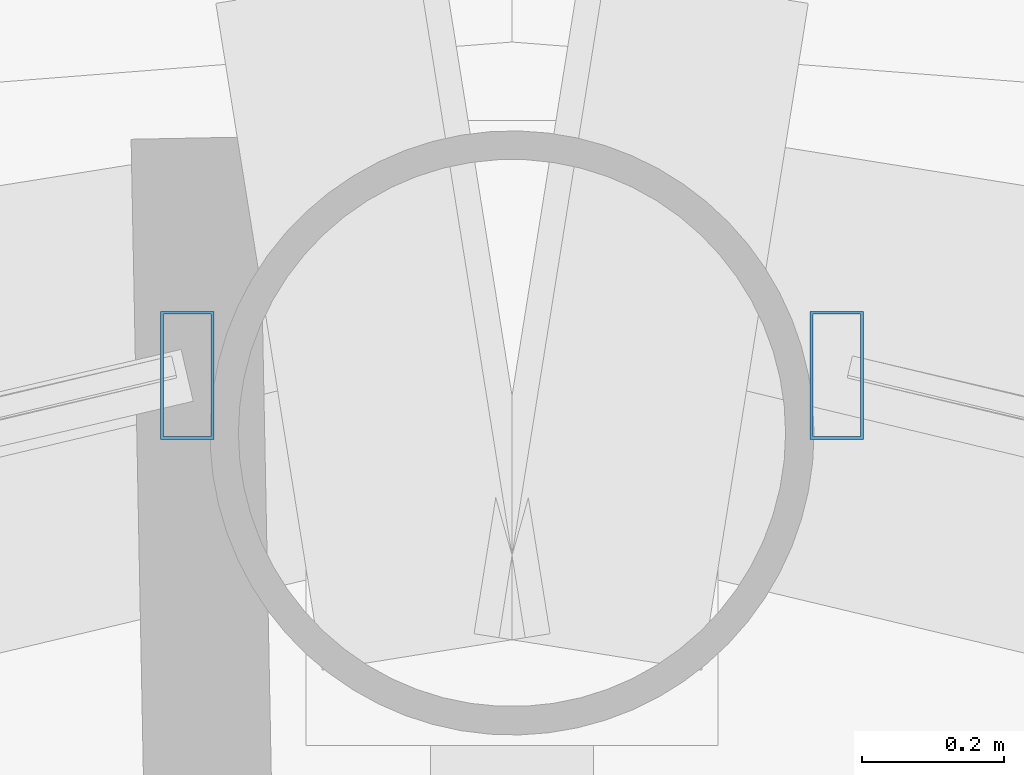
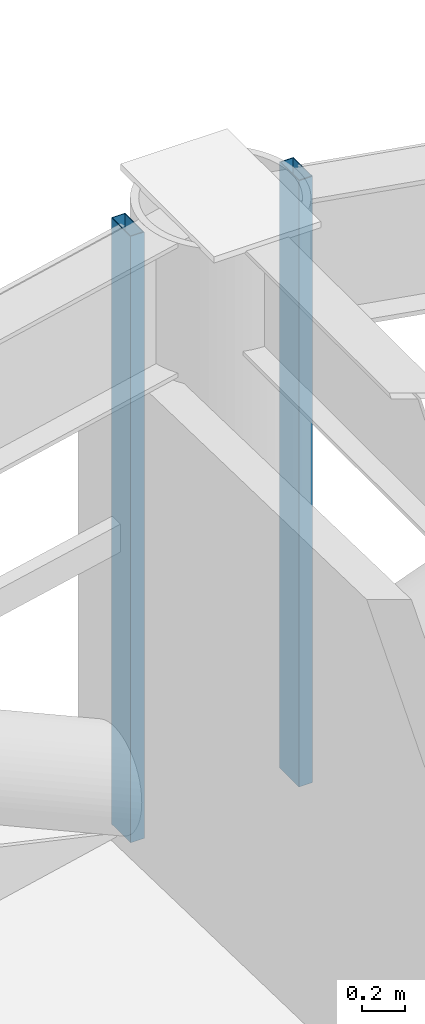
# One storey, part 17 of 31: 2 members, 2 elements without a shape of their own.
"""IFC4 building model written with IfcOpenShell, lengths in metres."""

import ifcopenshell
import ifcopenshell.guid

model = None  # the IFC model being written
_history = None  # IfcOwnerHistory: only IFC2X3 demands one
_inside = {}  # id of a spatial element -> (the spatial element, [elements in it])
_under = {}  # id of a project, library or spatial element -> (it, [spatial elements below it])
_declared = {}  # id of a project -> (the project, [libraries it declares])
_typed = {}  # id of a type object -> (the type object, [elements of that type])
_made_of = {}  # id of a material, layer set ... -> (it, [elements and type objects made of it])


def new_model(schema):
    """Start an empty IFC model of exactly this schema.

    Asked for "IFC4X3", IfcOpenShell would pick the latest addendum, in which some entities
    have other attributes; the version numbers below select the first issue.
    IFC2X3 requires an IfcOwnerHistory on every rooted entity: one is made here for all.
    """
    global model, _history
    if schema == "IFC4X3":
        model = ifcopenshell.file(schema_version=(4, 3, 0, 0))
    else:
        model = ifcopenshell.file(schema=schema)
    _inside.clear()
    _under.clear()
    _declared.clear()
    _typed.clear()
    _made_of.clear()
    _history = None
    if model.schema == "IFC2X3":
        org = make("IfcOrganization", Name="unknown")
        user = make(
            "IfcPersonAndOrganization",
            ThePerson=make("IfcPerson", FamilyName="unknown"),
            TheOrganization=org,
        )
        app = make(
            "IfcApplication",
            ApplicationDeveloper=org,
            Version="unknown",
            ApplicationFullName="unknown",
            ApplicationIdentifier="unknown",
        )
        _history = make(
            "IfcOwnerHistory",
            OwningUser=user,
            OwningApplication=app,
            ChangeAction="ADDED",
            CreationDate=0,
        )
    return model


def make(cls, **values):
    """One entity of the class cls with the attributes given. An attribute that is None is left unset."""
    return model.create_entity(
        cls, **{name: value for name, value in values.items() if value is not None}
    )


def rooted(cls, **values):
    """An entity with a GlobalId (a new one), such as an element, a storey or a relation."""
    return make(cls, GlobalId=ifcopenshell.guid.new(), OwnerHistory=_history, **values)


def si_unit(unit_type, name, prefix=None):
    """IfcSIUnit, for example si_unit("LENGTHUNIT", "METRE", prefix="MILLI")."""
    return make("IfcSIUnit", UnitType=unit_type, Prefix=prefix, Name=name)


def assignment(units):
    """IfcUnitAssignment: the units of a project."""
    return None if units is None else make("IfcUnitAssignment", Units=units)


def point(xyz):
    """IfcCartesianPoint."""
    return None if xyz is None else make("IfcCartesianPoint", Coordinates=xyz)


def direction(xyz):
    """IfcDirection."""
    return None if xyz is None else make("IfcDirection", DirectionRatios=xyz)


def frame(location, z_axis=None, x_axis=None):
    """IfcAxis2Placement3D, a coordinate frame: its origin and axes. An axis left out is left unset."""
    return make(
        "IfcAxis2Placement3D",
        Location=point(location),
        Axis=direction(z_axis),
        RefDirection=direction(x_axis),
    )


def frame_2d(location, x_axis=None):
    """IfcAxis2Placement2D, a coordinate frame in the plane: its origin and x axis."""
    return make(
        "IfcAxis2Placement2D", Location=point(location), RefDirection=direction(x_axis)
    )


def origin():
    """The frame at (0, 0, 0) with its axes left unset."""
    return frame((0.0, 0.0, 0.0))


def origin_2d():
    """The frame at (0, 0) in the plane with its x axis left unset."""
    return frame_2d((0.0, 0.0))


def place(relative_to, where):
    """IfcLocalPlacement: puts the frame where relative to a parent placement (None: the world)."""
    return make(
        "IfcLocalPlacement", PlacementRelTo=relative_to, RelativePlacement=where
    )


def context(
    kind, dimensions, precision=None, world=None, true_north=None, identifier=None
):
    """IfcGeometricRepresentationContext, for example the 3D "Model" context."""
    return make(
        "IfcGeometricRepresentationContext",
        ContextIdentifier=identifier,
        ContextType=kind,
        CoordinateSpaceDimension=dimensions,
        Precision=precision,
        WorldCoordinateSystem=world,
        TrueNorth=true_north,
    )


def subcontext(parent, identifier, kind, view, scale=None):
    """IfcGeometricRepresentationSubContext, for example "Body" below "Model"."""
    return make(
        "IfcGeometricRepresentationSubContext",
        ContextIdentifier=identifier,
        ContextType=kind,
        ParentContext=parent,
        TargetScale=scale,
        TargetView=view,
    )


def project(units=None, contexts=None):
    """IfcProject with its units and contexts."""
    return rooted(
        "IfcProject",
        Name="project",
        RepresentationContexts=contexts,
        UnitsInContext=assignment(units),
    )


def spatial(cls, under=None, at=None, **own):
    """A site, building, storey or space (cls), placed at a placement, below another one or the project."""
    s = rooted(cls, ObjectPlacement=at, **own)
    if under is not None:
        _under.setdefault(under.id(), (under, []))[1].append(s)
    return s


def profile(cls, at=None, kind="AREA", **sizes):
    """A parametric profile (cls). Its sizes go by their IFC names, for example OverallWidth=200.0."""
    return make(cls, ProfileType=kind, Position=at, **sizes)


def hollow_rectangle(**sizes):
    """IfcRectangleHollowProfileDef."""
    return profile("IfcRectangleHollowProfileDef", **sizes)


def extrude(swept, where, along, depth):
    """IfcExtrudedAreaSolid: the profile swept, set in the frame where, extruded along a direction by depth."""
    return make(
        "IfcExtrudedAreaSolid",
        SweptArea=swept,
        Position=where,
        ExtrudedDirection=direction(along),
        Depth=depth,
    )


def shape(context_of_items, identifier, shape_type, items):
    """IfcShapeRepresentation: the items that make up one representation, for example the "Body"."""
    return make(
        "IfcShapeRepresentation",
        ContextOfItems=context_of_items,
        RepresentationIdentifier=identifier,
        RepresentationType=shape_type,
        Items=items,
    )


def material(Name=None, Category=None):
    """IfcMaterial."""
    return make("IfcMaterial", Name=Name, Category=Category)


def layer(
    of_material, thickness, ventilated=None, Name=None, Category=None, Priority=None
):
    """IfcMaterialLayer: one layer of a wall or slab, of a material (None: an air gap)."""
    return make(
        "IfcMaterialLayer",
        Material=of_material,
        LayerThickness=thickness,
        IsVentilated=ventilated,
        Name=Name,
        Category=Category,
        Priority=Priority,
    )


def layer_set(layers, Name=None):
    """IfcMaterialLayerSet."""
    return make("IfcMaterialLayerSet", MaterialLayers=layers, LayerSetName=Name)


def material_profile(
    of_material, cross_section, Name=None, Category=None, Priority=None
):
    """IfcMaterialProfile: a cross section and its material."""
    return make(
        "IfcMaterialProfile",
        Name=Name,
        Material=of_material,
        Profile=cross_section,
        Priority=Priority,
        Category=Category,
    )


def profile_set(profiles, Name=None, composite=None):
    """IfcMaterialProfileSet."""
    return make(
        "IfcMaterialProfileSet",
        Name=Name,
        MaterialProfiles=profiles,
        CompositeProfile=composite,
    )


def made_of(thing, what):
    """Note that an element or type object is made of a material, layer set ...; save() writes the relation."""
    if what is not None:
        _made_of.setdefault(what.id(), (what, []))[1].append(thing)
    return thing


def type_object(cls, material=None, **own):
    """A type object (cls), such as IfcWallType, which elements share."""
    return made_of(rooted(cls, **own), material)


def element(
    cls,
    number,
    at=None,
    inside=None,
    cuts=None,
    type_object=None,
    material=None,
    context=None,
    identifier="Body",
    shape_type=None,
    held_by="IfcProductDefinitionShape",
    body=None,
    shapes=None,
    **own,
):
    """One element of the class cls, such as IfcWall. Its Tag is "e" and its number.

    at: its placement. inside: the storey or other place that contains it. cuts: it is an
    opening in that element (IfcRelVoidsElement). A single representation is given by context,
    identifier, shape_type and body (its items); several are given by shapes. held_by: the class
    of the entity that holds the representations. save() writes the other relations.
    """
    e = rooted(cls, Tag="e%d" % number, ObjectPlacement=at, **own)
    if body is not None:
        shapes = [shape(context, identifier, shape_type, body)]
    if shapes is not None:
        e.Representation = make(held_by, Representations=shapes)
    if inside is not None:
        _inside.setdefault(inside.id(), (inside, []))[1].append(e)
    if cuts is not None:
        rooted(
            "IfcRelVoidsElement", RelatingBuildingElement=cuts, RelatedOpeningElement=e
        )
    if type_object is not None:
        _typed.setdefault(type_object.id(), (type_object, []))[1].append(e)
    return made_of(e, material)


def aggregate(whole, parts):
    """IfcRelAggregates: a whole, such as a stair, and the parts it consists of."""
    return rooted("IfcRelAggregates", RelatingObject=whole, RelatedObjects=parts)


def save(model, path):
    """Write the relations noted so far, then the file.

    IfcRelAggregates (storeys below a building ...), IfcRelContainedInSpatialStructure (elements
    in a storey), IfcRelDefinesByType, IfcRelAssociatesMaterial and IfcRelDeclares: one each for
    every whole, place, type object, material and project.
    """
    for whole, parts in _under.values():
        aggregate(whole, parts)
    for where, things in _inside.values():
        rooted(
            "IfcRelContainedInSpatialStructure",
            RelatedElements=things,
            RelatingStructure=where,
        )
    for kind, things in _typed.values():
        rooted("IfcRelDefinesByType", RelatedObjects=things, RelatingType=kind)
    for what, things in _made_of.values():
        rooted("IfcRelAssociatesMaterial", RelatedObjects=things, RelatingMaterial=what)
    for by, libraries in _declared.values():
        rooted("IfcRelDeclares", RelatingContext=by, RelatedDefinitions=libraries)
    model.write(path)


model = new_model("IFC4")

# Units and contexts
model_context = context("Model", 3, precision=1e-05, world=origin(), true_north=direction((0.0, 1.0)))
body_context = subcontext(model_context, "Body", "Model", "MODEL_VIEW")
ifc_project = project(units=[si_unit("LENGTHUNIT", "METRE"), si_unit("AREAUNIT", "SQUARE_METRE"), si_unit("VOLUMEUNIT", "CUBIC_METRE"), si_unit("PLANEANGLEUNIT", "RADIAN"), si_unit("MASSUNIT", "GRAM", prefix="KILO")], contexts=[model_context])

# Site, building, storey
site_placement = place(None, origin())
site = spatial("IfcSite", under=ifc_project, at=site_placement, CompositionType="ELEMENT")
building_placement = place(site_placement, origin())
building = spatial("IfcBuilding", under=site, at=building_placement, Name="Vantalir Tower", CompositionType="ELEMENT")
storey_placement = place(building_placement, frame((0.0, 0.0, 34.5)))
storey = spatial("IfcBuildingStorey", under=building, at=storey_placement, Name="L07", CompositionType="ELEMENT", Elevation=34.5)

# Curtain wall, member
ifc_material_1 = material(Name="Champagne-silver PVDF aluminium and double-silver Low-E glass", Category="aluminium")
ifc_layer = layer(ifc_material_1, 0.18994140625)
ifc_layer_set = layer_set([ifc_layer], Name="Champagne-silver PVDF aluminium and double-silver Low-E glass")
curtain_wall_type = type_object("IfcCurtainWallType", Name="CW-DIAMOND-Z1", PredefinedType="USERDEFINED", material=ifc_layer_set)
curtain_wall_1_placement = place(storey_placement, origin())
curtain_wall_1 = element("IfcCurtainWall", 1, at=curtain_wall_1_placement, inside=storey, type_object=curtain_wall_type, Name="L07 Quilted Pyramid-Diamond Curtain Wall S03", ObjectType="UNITISED CURTAIN WALL", PredefinedType="USERDEFINED")
ifc_material_2 = material(Name="Champagne-silver PVDF aluminium 6063-T6", Category="aluminium")
ifc_material_profile = material_profile(ifc_material_2, hollow_rectangle(XDim=0.074951171875, YDim=0.179931640625, WallThickness=0.00390625, at=origin_2d()), Name="Champagne-silver PVDF aluminium 6063-T6")
ifc_profile_set = profile_set([ifc_material_profile], Name="Champagne-silver PVDF aluminium 6063-T6")
member_type = type_object("IfcMemberType", Name="CWM-180x75", PredefinedType="MULLION", material=ifc_profile_set)
member_1_placement = place(storey_placement, frame((31.95703125, 47.7451171875, 0.044921875), z_axis=(0.0, 0.0, 1.0), x_axis=(1.0, 0.0, 0.0)))
member_1 = element("IfcMember", 2, at=member_1_placement, type_object=member_type, Name="CW-L07-S03 Mullion 2", PredefinedType="MULLION", context=body_context, shape_type="SweptSolid", body=[
    extrude(hollow_rectangle(XDim=0.074951171875, YDim=0.179931640625, WallThickness=0.00390625, at=origin_2d()), origin(), (0.0, 0.0, 1.0), 3.47998046875),
])
aggregate(curtain_wall_1, [member_1])

curtain_wall_2_placement = place(storey_placement, origin())
curtain_wall_2 = element("IfcCurtainWall", 3, at=curtain_wall_2_placement, inside=storey, type_object=curtain_wall_type, Name="L07 Quilted Pyramid-Diamond Curtain Wall S04", ObjectType="UNITISED CURTAIN WALL", PredefinedType="USERDEFINED")
member_2_placement = place(storey_placement, frame((31.04296875, 47.7451171875, 0.044921875), z_axis=(0.0, 0.0, 1.0), x_axis=(1.0, 0.0, 0.0)))
member_2 = element("IfcMember", 4, at=member_2_placement, type_object=member_type, Name="CW-L07-S04 Mullion 1", PredefinedType="MULLION", context=body_context, shape_type="SweptSolid", body=[
    extrude(hollow_rectangle(XDim=0.074951171875, YDim=0.179931640625, WallThickness=0.00390625, at=origin_2d()), origin(), (0.0, 0.0, 1.0), 3.47998046875),
])
aggregate(curtain_wall_2, [member_2])

save(model, "model.ifc")
